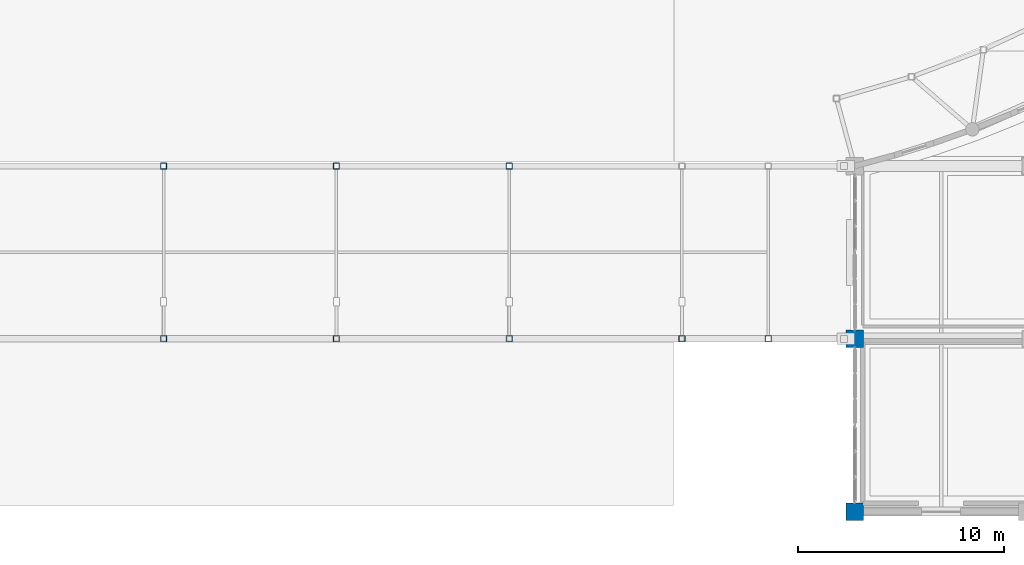
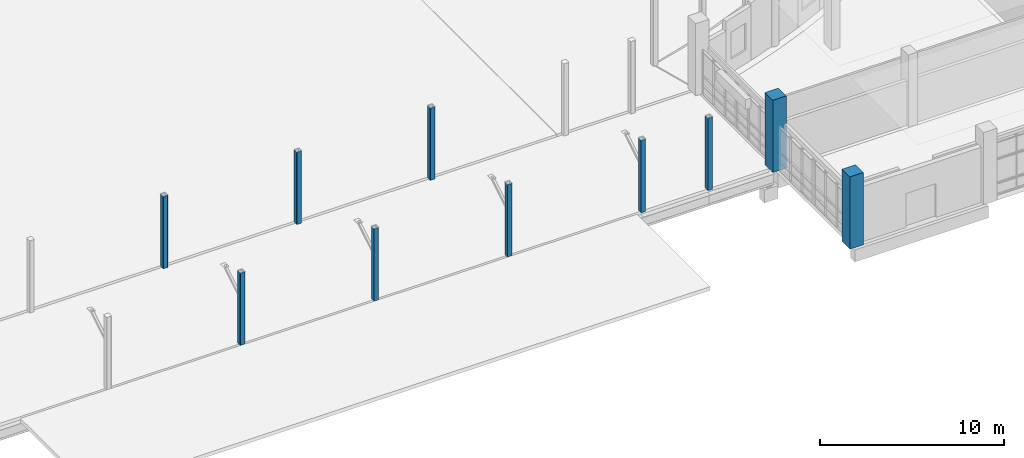
# One storey, part 5 of 97: 10 columns.
"""IFC4 building model written with IfcOpenShell, lengths in metres."""

from ifc_helpers import new_model, si_unit, direction, frame, origin, origin_2d, place, context, subcontext, project, spatial, rectangle, hollow_rectangle, extrude, material, material_profile, profile_set, type_object, element, save


model = new_model("IFC4")

# Units and contexts
model_context = context("Model", 3, precision=1e-05, world=origin(), true_north=direction((0.0, 1.0)))
body_context = subcontext(model_context, "Body", "Model", "MODEL_VIEW")
ifc_project = project(units=[si_unit("LENGTHUNIT", "METRE"), si_unit("AREAUNIT", "SQUARE_METRE"), si_unit("VOLUMEUNIT", "CUBIC_METRE"), si_unit("PLANEANGLEUNIT", "RADIAN"), si_unit("MASSUNIT", "GRAM", prefix="KILO")], contexts=[model_context])

# Site, building, storey
site_placement = place(None, origin())
site = spatial("IfcSite", under=ifc_project, at=site_placement, CompositionType="ELEMENT")
building_placement = place(site_placement, origin())
building = spatial("IfcBuilding", under=site, at=building_placement, Name="Kisaragi Civic Commons", CompositionType="ELEMENT")
storey_placement = place(building_placement, origin())
storey = spatial("IfcBuildingStorey", under=building, at=storey_placement, Name="L00", CompositionType="ELEMENT", Elevation=0.0)

# Columns
ifc_material_1 = material(Name="Concrete Fc36", Category="concrete")
ifc_material_profile_1 = material_profile(ifc_material_1, rectangle(XDim=0.85009765625, YDim=0.85009765625, at=origin_2d()), Name="RC-850x850", Category="concrete")
ifc_profile_set_1 = profile_set([ifc_material_profile_1], Name="Concrete Fc36")
column_type_1 = type_object("IfcColumnType", Name="C-05", PredefinedType="COLUMN", material=ifc_profile_set_1)
for number, where, z_axis, x_axis, name in (
    (1, (105.60009765625, 0.0, 0.0), (0.0, 0.0, 1.0), (1.0, 0.0, 0.0), "L00 column C-05 (105.6,0.0)"),
    (2, (105.60009765625, 8.39990234375, 0.0), (0.0, 0.0, 1.0), (1.0, 0.0, 0.0), "L00 column C-05 (105.6,8.4)"),
):
    element("IfcColumn", number, at=place(storey_placement, frame(where, z_axis=z_axis, x_axis=x_axis)), inside=storey, type_object=column_type_1, Name=name, PredefinedType="COLUMN", context=body_context, shape_type="SweptSolid", body=[
        extrude(rectangle(XDim=0.85009765625, YDim=0.85009765625, at=origin_2d()), origin(), (0.0, 0.0, 1.0), 4.800048828125),
    ])
ifc_material_2 = material(Name="Steel BCR295", Category="steel")
ifc_material_profile_2 = material_profile(ifc_material_2, hollow_rectangle(XDim=0.300048828125, YDim=0.300048828125, WallThickness=0.011962890625, InnerFilletRadius=0.011962890625, OuterFilletRadius=0.02392578125, at=origin_2d()), Name="BCR-300x300x12", Category="steel")
ifc_profile_set_2 = profile_set([ifc_material_profile_2], Name="Steel BCR295")
column_type_2 = type_object("IfcColumnType", Name="C-14", PredefinedType="COLUMN", material=ifc_profile_set_2)
for number, where, z_axis, x_axis, name in (
    (3, (72.0, 8.39990234375, 0.0), (0.0, 0.0, 1.0), (1.0, 0.0, 0.0), "L00 column C-14 (72.0,8.4)"),
    (4, (72.0, 16.800048828125, 0.0), (0.0, 0.0, 1.0), (1.0, 0.0, 0.0), "L00 column C-14 (72.0,16.8)"),
    (5, (80.39990234375, 8.39990234375, 0.0), (0.0, 0.0, 1.0), (1.0, 0.0, 0.0), "L00 column C-14 (80.4,8.4)"),
    (6, (80.39990234375, 16.800048828125, 0.0), (0.0, 0.0, 1.0), (1.0, 0.0, 0.0), "L00 column C-14 (80.4,16.8)"),
    (7, (88.800048828125, 8.39990234375, 0.0), (0.0, 0.0, 1.0), (1.0, 0.0, 0.0), "L00 column C-14 (88.8,8.4)"),
    (8, (88.800048828125, 16.800048828125, 0.0), (0.0, 0.0, 1.0), (1.0, 0.0, 0.0), "L00 column C-14 (88.8,16.8)"),
    (9, (97.199951171875, 8.39990234375, 0.0), (0.0, 0.0, 1.0), (1.0, 0.0, 0.0), "L00 column C-14 (97.2,8.4)"),
    (10, (101.39990234375, 8.39990234375, 0.0), (0.0, 0.0, 1.0), (1.0, 0.0, 0.0), "L00 column C-14 (101.4,8.4)"),
):
    element("IfcColumn", number, at=place(storey_placement, frame(where, z_axis=z_axis, x_axis=x_axis)), inside=storey, type_object=column_type_2, Name=name, PredefinedType="COLUMN", context=body_context, shape_type="SweptSolid", body=[
        extrude(hollow_rectangle(XDim=0.300048828125, YDim=0.300048828125, WallThickness=0.011962890625, InnerFilletRadius=0.011962890625, OuterFilletRadius=0.02392578125, at=origin_2d()), origin(), (0.0, 0.0, 1.0), 4.800048828125),
    ])

save(model, "model.ifc")
